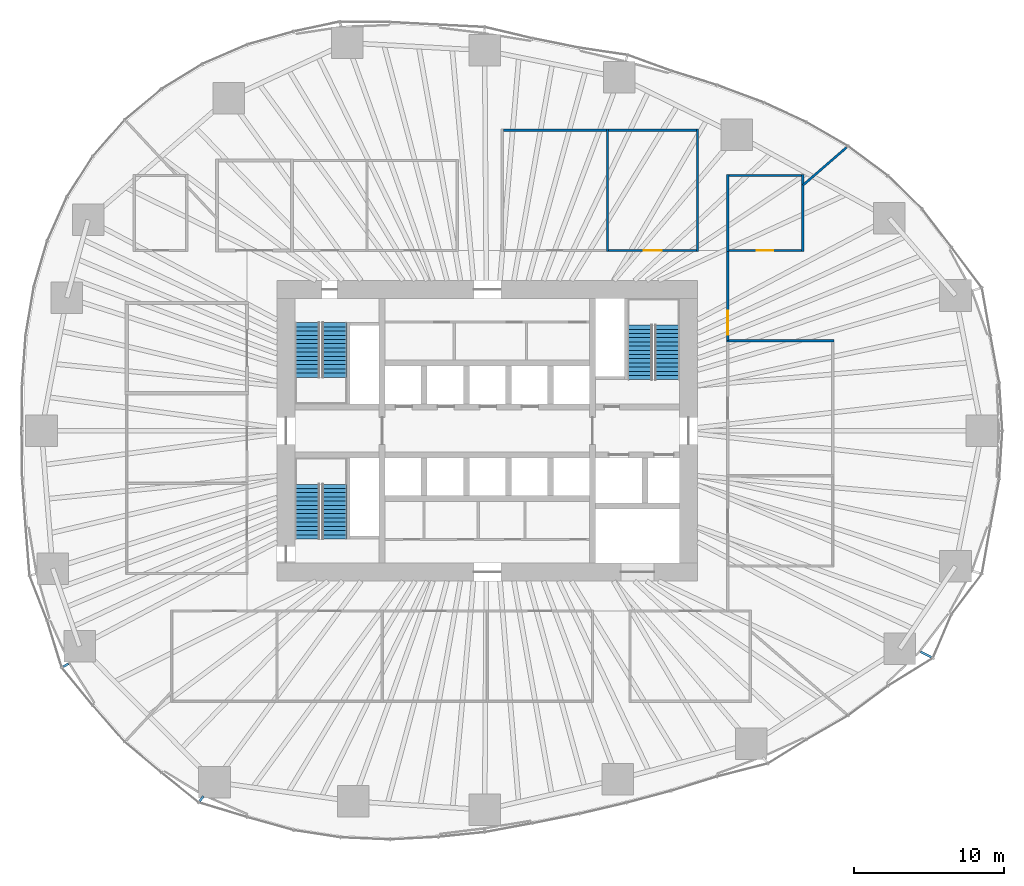
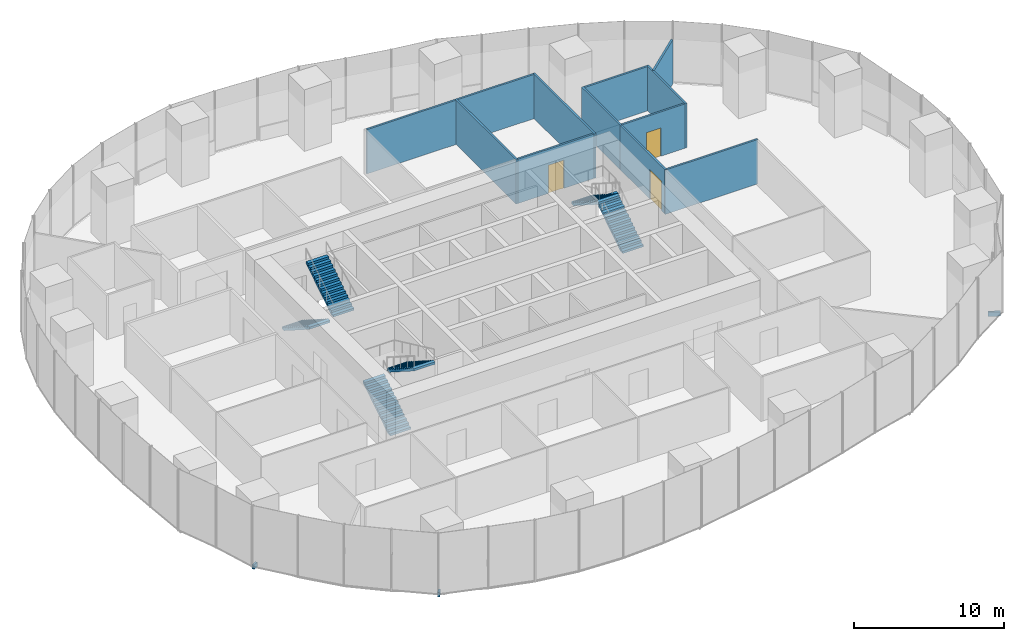
# One storey, part 12 of 20: 12 walls, 6 stair flights, 3 discrete accessories, 3 doors, 3 openings, 3 elements without a shape of their own.
"""IFC4 building model written with IfcOpenShell, lengths in metres."""

from ifc_helpers import new_model, si_unit, direction, frame, frame_2d, origin, origin_2d, place, context, subcontext, project, spatial, polyline, rectangle, outline, extrude, material, layer, layer_set, type_object, element, fill, aggregate, save


model = new_model("IFC4")

# Units and contexts
model_context = context("Model", 3, precision=1e-05, world=origin(), true_north=direction((0.0, 1.0)))
body_context = subcontext(model_context, "Body", "Model", "MODEL_VIEW")
ifc_project = project(units=[si_unit("LENGTHUNIT", "METRE"), si_unit("AREAUNIT", "SQUARE_METRE"), si_unit("VOLUMEUNIT", "CUBIC_METRE"), si_unit("PLANEANGLEUNIT", "RADIAN"), si_unit("MASSUNIT", "GRAM", prefix="KILO")], contexts=[model_context])

# Site, building, storey
site_placement = place(None, origin())
site = spatial("IfcSite", under=ifc_project, at=site_placement, CompositionType="ELEMENT")
building_placement = place(site_placement, origin())
building = spatial("IfcBuilding", under=site, at=building_placement, Name="Ghaith Harvest Tower", CompositionType="ELEMENT")
storey_placement = place(building_placement, frame((0.0, 0.0, 40.0)))
storey = spatial("IfcBuildingStorey", under=building, at=storey_placement, Name="L08", CompositionType="ELEMENT", Elevation=40.0)

# Walls
ifc_material_1 = material(Name="Gypsum board on steel studs", Category="steel")
ifc_layer = layer(ifc_material_1, 0.14990234375)
ifc_layer_set = layer_set([ifc_layer], Name="PARTITION 150")
wall_type = type_object("IfcWallType", Name="PARTITION 150", PredefinedType="PARTITIONING", material=ifc_layer_set)
for number, where, z_axis, x_axis, name in (
    (1, (8.0, 11.925048828125, 0.0), (0.0, 0.0, 1.0), (0.0, 1.0, 0.0), "Partition L08 row N5 cross wall 2"),
    (2, (14.0, 11.925048828125, 0.0), (0.0, 0.0, 1.0), (0.0, 1.0, 0.0), "Partition L08 row N5 cross wall 3"),
):
    element("IfcWall", number, at=place(storey_placement, frame(where, z_axis=z_axis, x_axis=x_axis)), inside=storey, type_object=wall_type, Name=name, PredefinedType="PARTITIONING", context=body_context, shape_type="SweptSolid", body=[
        extrude(rectangle(XDim=8.14990234375, YDim=0.14990234375, at=frame_2d((4.074951171875, 0.0))), origin(), (0.0, 0.0, 1.0), 3.60009765625),
    ])
wall_1_placement = place(storey_placement, frame((1.074951171875, 20.0, 0.0), z_axis=(0.0, 0.0, 1.0), x_axis=(1.0, 0.0, 0.0)))
element("IfcWall", 3, at=wall_1_placement, inside=storey, type_object=wall_type, Name="Partition L08-12", PredefinedType="PARTITIONING", context=body_context, shape_type="SweptSolid", body=[
    extrude(rectangle(XDim=6.85009765625, YDim=0.14990234375, at=frame_2d((3.425048828125, 0.0))), origin(), (0.0, 0.0, 1.0), 3.60009765625),
])

# Wall, opening, door
wall_2_placement = place(storey_placement, frame((8.074951171875, 12.0, 0.0), z_axis=(0.0, 0.0, 1.0), x_axis=(1.0, 0.0, 0.0)))
wall_2 = element("IfcWall", 4, at=wall_2_placement, inside=storey, type_object=wall_type, Name="Partition L08-13", PredefinedType="PARTITIONING", context=body_context, shape_type="SweptSolid", body=[
    extrude(rectangle(XDim=5.85009765625, YDim=0.14990234375, at=frame_2d((2.925048828125, 0.0))), origin(), (0.0, 0.0, 1.0), 3.60009765625),
])
opening_1_placement = place(wall_2_placement, frame((2.324951171875, 0.0, 0.0)))
opening_1 = element("IfcOpeningElement", 5, at=opening_1_placement, cuts=wall_2, Name="Opening 08-036", PredefinedType="OPENING", context=body_context, shape_type="SweptSolid", body=[
    extrude(rectangle(XDim=1.199951171875, YDim=2.300048828125, at=frame_2d((0.60009765625, 1.14990234375))), frame((0.0, 0.0849609375, 0.0), z_axis=(0.0, -1.0, 0.0), x_axis=(1.0, 0.0, 0.0)), (0.0, 0.0, 1.0), 0.169921875),
])
ifc_material_2 = material(Name="Timber door with vision panel", Category="wood")
door_type_1 = type_object("IfcDoorType", Name="D15 LABORATORY 1200x2300", OperationType="SINGLE_SWING_LEFT", PredefinedType="DOOR", material=ifc_material_2)
door_1_placement = place(opening_1_placement, origin())
door_1 = element("IfcDoor", 6, at=door_1_placement, inside=storey, type_object=door_type_1, Name="Quality laboratory door", OperationType="SINGLE_SWING_LEFT", OverallHeight=2.300048828125, OverallWidth=1.199951171875, PredefinedType="DOOR", context=body_context, shape_type="SweptSolid", body=[
    extrude(rectangle(XDim=1.199951171875, YDim=2.300048828125, at=frame_2d((0.60009765625, 1.14990234375))), frame((0.0, 0.02490234375, 0.0), z_axis=(0.0, -1.0, 0.0), x_axis=(1.0, 0.0, 0.0)), (0.0, 0.0, 1.0), 0.050048828125),
])
fill(opening_1, door_1)

# Walls
wall_3_placement = place(storey_placement, frame((8.074951171875, 20.0, 0.0), z_axis=(0.0, 0.0, 1.0), x_axis=(1.0, 0.0, 0.0)))
element("IfcWall", 7, at=wall_3_placement, inside=storey, type_object=wall_type, Name="Partition L08-13", PredefinedType="PARTITIONING", context=body_context, shape_type="SweptSolid", body=[
    extrude(rectangle(XDim=5.85009765625, YDim=0.14990234375, at=frame_2d((2.925048828125, 0.0))), origin(), (0.0, 0.0, 1.0), 3.60009765625),
])
wall_4_placement = place(storey_placement, frame((15.925048828125, 6.0, 0.0), z_axis=(0.0, 0.0, 1.0), x_axis=(1.0, 0.0, 0.0)))
element("IfcWall", 8, at=wall_4_placement, inside=storey, type_object=wall_type, Name="Partition L08 row E6 cross wall 3", PredefinedType="PARTITIONING", context=body_context, shape_type="SweptSolid", body=[
    extrude(rectangle(XDim=7.14990234375, YDim=0.14990234375, at=frame_2d((3.574951171875, 0.0))), origin(), (0.0, 0.0, 1.0), 3.60009765625),
])
for number, where, z_axis, x_axis, name in (
    (9, (16.0, 11.925048828125, 0.0), (0.0, 0.0, 1.0), (0.0, 1.0, 0.0), "Partition L08 row N7 cross wall 1"),
    (10, (21.0, 11.925048828125, 0.0), (0.0, 0.0, 1.0), (0.0, 1.0, 0.0), "Partition L08 row N7 cross wall 2"),
):
    element("IfcWall", number, at=place(storey_placement, frame(where, z_axis=z_axis, x_axis=x_axis)), inside=storey, type_object=wall_type, Name=name, PredefinedType="PARTITIONING", context=body_context, shape_type="SweptSolid", body=[
        extrude(rectangle(XDim=5.14990234375, YDim=0.14990234375, at=frame_2d((2.574951171875, 0.0))), origin(), (0.0, 0.0, 1.0), 3.60009765625),
    ])

# Wall, opening, door
wall_5_placement = place(storey_placement, frame((16.074951171875, 12.0, 0.0), z_axis=(0.0, 0.0, 1.0), x_axis=(1.0, 0.0, 0.0)))
wall_5 = element("IfcWall", 11, at=wall_5_placement, inside=storey, type_object=wall_type, Name="Partition L08-16", PredefinedType="PARTITIONING", context=body_context, shape_type="SweptSolid", body=[
    extrude(rectangle(XDim=4.85009765625, YDim=0.14990234375, at=frame_2d((2.425048828125, 0.0))), origin(), (0.0, 0.0, 1.0), 3.60009765625),
])
opening_2_placement = place(wall_5_placement, frame((1.875, 0.0, 0.0)))
opening_2 = element("IfcOpeningElement", 12, at=opening_2_placement, cuts=wall_5, Name="Opening 08-039", PredefinedType="OPENING", context=body_context, shape_type="SweptSolid", body=[
    extrude(rectangle(XDim=1.10009765625, YDim=2.300048828125, at=frame_2d((0.550048828125, 1.14990234375))), frame((0.0, 0.0849609375, 0.0), z_axis=(0.0, -1.0, 0.0), x_axis=(1.0, 0.0, 0.0)), (0.0, 0.0, 1.0), 0.169921875),
])
ifc_material_3 = material(Name="Timber-framed glazed door", Category="wood")
door_type_2 = type_object("IfcDoorType", Name="D12 GLAZED OFFICE 1100x2300", OperationType="SINGLE_SWING_LEFT", PredefinedType="DOOR", material=ifc_material_3)
door_2_placement = place(opening_2_placement, origin())
door_2 = element("IfcDoor", 13, at=door_2_placement, inside=storey, type_object=door_type_2, Name="Crop office door", OperationType="SINGLE_SWING_LEFT", OverallHeight=2.300048828125, OverallWidth=1.10009765625, PredefinedType="DOOR", context=body_context, shape_type="SweptSolid", body=[
    extrude(rectangle(XDim=1.10009765625, YDim=2.300048828125, at=frame_2d((0.550048828125, 1.14990234375))), frame((0.0, 0.02490234375, 0.0), z_axis=(0.0, -1.0, 0.0), x_axis=(1.0, 0.0, 0.0)), (0.0, 0.0, 1.0), 0.050048828125),
])
fill(opening_2, door_2)

# Walls
wall_6_placement = place(storey_placement, frame((16.074951171875, 17.0, 0.0), z_axis=(0.0, 0.0, 1.0), x_axis=(1.0, 0.0, 0.0)))
element("IfcWall", 14, at=wall_6_placement, inside=storey, type_object=wall_type, Name="Partition L08-16", PredefinedType="PARTITIONING", context=body_context, shape_type="SweptSolid", body=[
    extrude(rectangle(XDim=4.85009765625, YDim=0.14990234375, at=frame_2d((2.425048828125, 0.0))), origin(), (0.0, 0.0, 1.0), 3.60009765625),
])
wall_7_placement = place(storey_placement, frame((21.02001953125, 16.35400390625, 0.0), z_axis=(0.0, 0.0, 1.0), x_axis=(0.755425653008, 0.655234372402, 0.0)))
element("IfcWall", 15, at=wall_7_placement, inside=storey, type_object=wall_type, Name="Partition L08 zone division", PredefinedType="PARTITIONING", context=body_context, shape_type="SweptSolid", body=[
    extrude(rectangle(XDim=3.8232421875, YDim=0.14990234375, at=frame_2d((1.91162109375, 0.0))), origin(), (0.0, 0.0, 1.0), 3.60009765625),
])

# Wall, opening, door
wall_8_placement = place(storey_placement, frame((16.0, 6.0, 0.0), z_axis=(0.0, 0.0, 1.0), x_axis=(0.0, 1.0, 0.0)))
wall_8 = element("IfcWall", 16, at=wall_8_placement, inside=storey, type_object=wall_type, Name="Partition L08 zone enclosure", PredefinedType="PARTITIONING", context=body_context, shape_type="SweptSolid", body=[
    extrude(rectangle(XDim=6.0, YDim=0.14990234375, at=frame_2d((3.0, 0.0))), origin(), (0.0, 0.0, 1.0), 3.60009765625),
])
opening_3_placement = place(wall_8_placement, frame((0.39990234375, 0.0, 0.0)))
opening_3 = element("IfcOpeningElement", 17, at=opening_3_placement, cuts=wall_8, Name="Opening 08-041", PredefinedType="OPENING", context=body_context, shape_type="SweptSolid", body=[
    extrude(rectangle(XDim=1.60009765625, YDim=2.39990234375, at=frame_2d((0.800048828125, 1.199951171875))), frame((0.0, 0.0849609375, 0.0), z_axis=(0.0, -1.0, 0.0), x_axis=(1.0, 0.0, 0.0)), (0.0, 0.0, 1.0), 0.169921875),
])
ifc_material_4 = material(Name="Timber door", Category="wood")
door_type_3 = type_object("IfcDoorType", Name="D2 PAIR 1600x2400", OperationType="DOUBLE_DOOR_SINGLE_SWING", PredefinedType="DOOR", material=ifc_material_4)
door_3_placement = place(opening_3_placement, origin())
door_3 = element("IfcDoor", 18, at=door_3_placement, inside=storey, type_object=door_type_3, Name="Leafy greens growing area east door", OperationType="DOUBLE_DOOR_SINGLE_SWING", OverallHeight=2.39990234375, OverallWidth=1.60009765625, PredefinedType="DOOR", context=body_context, shape_type="SweptSolid", body=[
    extrude(rectangle(XDim=1.60009765625, YDim=2.39990234375, at=frame_2d((0.800048828125, 1.199951171875))), frame((0.0, 0.02490234375, 0.0), z_axis=(0.0, -1.0, 0.0), x_axis=(1.0, 0.0, 0.0)), (0.0, 0.0, 1.0), 0.050048828125),
])
fill(opening_3, door_3)

# Stair, stair flights
ifc_material_5 = material(Name="Concrete C40/50, precast", Category="concrete")
stair_type = type_object("IfcStairType", Name="CORE STAIR 28R", PredefinedType="HALF_TURN_STAIR", material=ifc_material_5)
stair_1_placement = place(storey_placement, origin())
stair_1 = element("IfcStair", 19, at=stair_1_placement, inside=storey, type_object=stair_type, Name="Stair ST1 L08", PredefinedType="HALF_TURN_STAIR")
ifc_material_6 = material(Name="Concrete C40/50, precast", Category="concrete")
stair_flight_type = type_object("IfcStairFlightType", Name="CORE FLIGHT 14R 1600", PredefinedType="STRAIGHT", material=ifc_material_6)
stair_flight_1_placement = place(storey_placement, frame((-12.0, 7.199951171875, 0.0), z_axis=(0.0, 0.0, 1.0), x_axis=(0.0, -1.0, 0.0)))
stair_flight_1 = element("IfcStairFlight", 20, at=stair_flight_1_placement, type_object=stair_flight_type, Name="ST1 flight 1", NumberOfRisers=14, NumberOfTreads=13, PredefinedType="STRAIGHT", RiserHeight=0.178571429, TreadLength=0.28, context=body_context, shape_type="SweptSolid", body=[
    extrude(outline(polyline([(0.0, 0.0), (0.0, 0.178466796875), (0.280029296875, 0.178466796875), (0.280029296875, 0.357177734375), (0.56005859375, 0.357177734375), (0.56005859375, 0.53564453125), (0.840087890625, 0.53564453125), (0.840087890625, 0.71435546875), (1.1201171875, 0.71435546875), (1.1201171875, 0.892822265625), (1.39990234375, 0.892822265625), (1.39990234375, 1.071533203125), (1.679931640625, 1.071533203125), (1.679931640625, 1.25), (1.9599609375, 1.25), (1.9599609375, 1.428466796875), (2.239990234375, 1.428466796875), (2.239990234375, 1.607177734375), (2.52001953125, 1.607177734375), (2.52001953125, 1.78564453125), (2.800048828125, 1.78564453125), (2.800048828125, 1.96435546875), (3.080078125, 1.96435546875), (3.080078125, 2.142822265625), (3.360107421875, 2.142822265625), (3.360107421875, 2.321533203125), (3.639892578125, 2.321533203125), (3.639892578125, 2.5), (3.639892578125, 2.1435546875), (0.27880859375, 0.0), (0.0, 0.0)])), frame((0.0, 0.800048828125, 0.0), z_axis=(0.0, -1.0, 0.0), x_axis=(1.0, 0.0, 0.0)), (0.0, 0.0, 1.0), 1.60009765625),
])
stair_flight_2_placement = place(storey_placement, frame((-10.14990234375, 3.56005859375, 2.5), z_axis=(0.0, 0.0, 1.0), x_axis=(0.0, 1.0, 0.0)))
stair_flight_2 = element("IfcStairFlight", 21, at=stair_flight_2_placement, type_object=stair_flight_type, Name="ST1 flight 2", NumberOfRisers=14, NumberOfTreads=13, PredefinedType="STRAIGHT", RiserHeight=0.178571429, TreadLength=0.28, context=body_context, shape_type="SweptSolid", body=[
    extrude(outline(polyline([(0.0, 0.0), (0.0, 0.178466796875), (0.280029296875, 0.178466796875), (0.280029296875, 0.357177734375), (0.56005859375, 0.357177734375), (0.56005859375, 0.53564453125), (0.840087890625, 0.53564453125), (0.840087890625, 0.71435546875), (1.1201171875, 0.71435546875), (1.1201171875, 0.892822265625), (1.39990234375, 0.892822265625), (1.39990234375, 1.071533203125), (1.679931640625, 1.071533203125), (1.679931640625, 1.25), (1.9599609375, 1.25), (1.9599609375, 1.428466796875), (2.239990234375, 1.428466796875), (2.239990234375, 1.607177734375), (2.52001953125, 1.607177734375), (2.52001953125, 1.78564453125), (2.800048828125, 1.78564453125), (2.800048828125, 1.96435546875), (3.080078125, 1.96435546875), (3.080078125, 2.142822265625), (3.360107421875, 2.142822265625), (3.360107421875, 2.321533203125), (3.639892578125, 2.321533203125), (3.639892578125, 2.5), (3.639892578125, 2.1435546875), (0.27880859375, 0.0), (0.0, 0.0)])), frame((0.0, 0.800048828125, 0.0), z_axis=(0.0, -1.0, 0.0), x_axis=(1.0, 0.0, 0.0)), (0.0, 0.0, 1.0), 1.60009765625),
])
aggregate(stair_1, [stair_flight_1, stair_flight_2])

stair_2_placement = place(storey_placement, origin())
stair_2 = element("IfcStair", 22, at=stair_2_placement, inside=storey, type_object=stair_type, Name="Stair ST3 L08", PredefinedType="HALF_TURN_STAIR")
stair_flight_3_placement = place(storey_placement, frame((-12.0, -7.199951171875, 0.0), z_axis=(0.0, 0.0, 1.0), x_axis=(0.0, 1.0, 0.0)))
stair_flight_3 = element("IfcStairFlight", 23, at=stair_flight_3_placement, type_object=stair_flight_type, Name="ST3 flight 1", NumberOfRisers=14, NumberOfTreads=13, PredefinedType="STRAIGHT", RiserHeight=0.178571429, TreadLength=0.28, context=body_context, shape_type="SweptSolid", body=[
    extrude(outline(polyline([(0.0, 0.0), (0.0, 0.178466796875), (0.280029296875, 0.178466796875), (0.280029296875, 0.357177734375), (0.56005859375, 0.357177734375), (0.56005859375, 0.53564453125), (0.840087890625, 0.53564453125), (0.840087890625, 0.71435546875), (1.1201171875, 0.71435546875), (1.1201171875, 0.892822265625), (1.39990234375, 0.892822265625), (1.39990234375, 1.071533203125), (1.679931640625, 1.071533203125), (1.679931640625, 1.25), (1.9599609375, 1.25), (1.9599609375, 1.428466796875), (2.239990234375, 1.428466796875), (2.239990234375, 1.607177734375), (2.52001953125, 1.607177734375), (2.52001953125, 1.78564453125), (2.800048828125, 1.78564453125), (2.800048828125, 1.96435546875), (3.080078125, 1.96435546875), (3.080078125, 2.142822265625), (3.360107421875, 2.142822265625), (3.360107421875, 2.321533203125), (3.639892578125, 2.321533203125), (3.639892578125, 2.5), (3.639892578125, 2.1435546875), (0.27880859375, 0.0), (0.0, 0.0)])), frame((0.0, 0.800048828125, 0.0), z_axis=(0.0, -1.0, 0.0), x_axis=(1.0, 0.0, 0.0)), (0.0, 0.0, 1.0), 1.60009765625),
])
stair_flight_4_placement = place(storey_placement, frame((-10.14990234375, -3.56005859375, 2.5), z_axis=(0.0, 0.0, 1.0), x_axis=(0.0, -1.0, 0.0)))
stair_flight_4 = element("IfcStairFlight", 24, at=stair_flight_4_placement, type_object=stair_flight_type, Name="ST3 flight 2", NumberOfRisers=14, NumberOfTreads=13, PredefinedType="STRAIGHT", RiserHeight=0.178571429, TreadLength=0.28, context=body_context, shape_type="SweptSolid", body=[
    extrude(outline(polyline([(0.0, 0.0), (0.0, 0.178466796875), (0.280029296875, 0.178466796875), (0.280029296875, 0.357177734375), (0.56005859375, 0.357177734375), (0.56005859375, 0.53564453125), (0.840087890625, 0.53564453125), (0.840087890625, 0.71435546875), (1.1201171875, 0.71435546875), (1.1201171875, 0.892822265625), (1.39990234375, 0.892822265625), (1.39990234375, 1.071533203125), (1.679931640625, 1.071533203125), (1.679931640625, 1.25), (1.9599609375, 1.25), (1.9599609375, 1.428466796875), (2.239990234375, 1.428466796875), (2.239990234375, 1.607177734375), (2.52001953125, 1.607177734375), (2.52001953125, 1.78564453125), (2.800048828125, 1.78564453125), (2.800048828125, 1.96435546875), (3.080078125, 1.96435546875), (3.080078125, 2.142822265625), (3.360107421875, 2.142822265625), (3.360107421875, 2.321533203125), (3.639892578125, 2.321533203125), (3.639892578125, 2.5), (3.639892578125, 2.1435546875), (0.27880859375, 0.0), (0.0, 0.0)])), frame((0.0, 0.800048828125, 0.0), z_axis=(0.0, -1.0, 0.0), x_axis=(1.0, 0.0, 0.0)), (0.0, 0.0, 1.0), 1.60009765625),
])
aggregate(stair_2, [stair_flight_3, stair_flight_4])

stair_3_placement = place(storey_placement, origin())
stair_3 = element("IfcStair", 25, at=stair_3_placement, inside=storey, type_object=stair_type, Name="Stair ST2 L08", PredefinedType="HALF_TURN_STAIR")
stair_flight_5_placement = place(storey_placement, frame((12.0, 3.39990234375, 0.0), z_axis=(0.0, 0.0, 1.0), x_axis=(0.0, 1.0, 0.0)))
stair_flight_5 = element("IfcStairFlight", 26, at=stair_flight_5_placement, type_object=stair_flight_type, Name="ST2 flight 1", NumberOfRisers=14, NumberOfTreads=13, PredefinedType="STRAIGHT", RiserHeight=0.178571429, TreadLength=0.28, context=body_context, shape_type="SweptSolid", body=[
    extrude(outline(polyline([(0.0, 0.0), (0.0, 0.178466796875), (0.280029296875, 0.178466796875), (0.280029296875, 0.357177734375), (0.56005859375, 0.357177734375), (0.56005859375, 0.53564453125), (0.840087890625, 0.53564453125), (0.840087890625, 0.71435546875), (1.1201171875, 0.71435546875), (1.1201171875, 0.892822265625), (1.39990234375, 0.892822265625), (1.39990234375, 1.071533203125), (1.679931640625, 1.071533203125), (1.679931640625, 1.25), (1.9599609375, 1.25), (1.9599609375, 1.428466796875), (2.239990234375, 1.428466796875), (2.239990234375, 1.607177734375), (2.52001953125, 1.607177734375), (2.52001953125, 1.78564453125), (2.800048828125, 1.78564453125), (2.800048828125, 1.96435546875), (3.080078125, 1.96435546875), (3.080078125, 2.142822265625), (3.360107421875, 2.142822265625), (3.360107421875, 2.321533203125), (3.639892578125, 2.321533203125), (3.639892578125, 2.5), (3.639892578125, 2.1435546875), (0.27880859375, 0.0), (0.0, 0.0)])), frame((0.0, 0.800048828125, 0.0), z_axis=(0.0, -1.0, 0.0), x_axis=(1.0, 0.0, 0.0)), (0.0, 0.0, 1.0), 1.60009765625),
])
stair_flight_6_placement = place(storey_placement, frame((10.14990234375, 7.0400390625, 2.5), z_axis=(0.0, 0.0, 1.0), x_axis=(0.0, -1.0, 0.0)))
stair_flight_6 = element("IfcStairFlight", 27, at=stair_flight_6_placement, type_object=stair_flight_type, Name="ST2 flight 2", NumberOfRisers=14, NumberOfTreads=13, PredefinedType="STRAIGHT", RiserHeight=0.178571429, TreadLength=0.28, context=body_context, shape_type="SweptSolid", body=[
    extrude(outline(polyline([(0.0, 0.0), (0.0, 0.178466796875), (0.280029296875, 0.178466796875), (0.280029296875, 0.357177734375), (0.56005859375, 0.357177734375), (0.56005859375, 0.53564453125), (0.840087890625, 0.53564453125), (0.840087890625, 0.71435546875), (1.1201171875, 0.71435546875), (1.1201171875, 0.892822265625), (1.39990234375, 0.892822265625), (1.39990234375, 1.071533203125), (1.679931640625, 1.071533203125), (1.679931640625, 1.25), (1.9599609375, 1.25), (1.9599609375, 1.428466796875), (2.239990234375, 1.428466796875), (2.239990234375, 1.607177734375), (2.52001953125, 1.607177734375), (2.52001953125, 1.78564453125), (2.800048828125, 1.78564453125), (2.800048828125, 1.96435546875), (3.080078125, 1.96435546875), (3.080078125, 2.142822265625), (3.360107421875, 2.142822265625), (3.360107421875, 2.321533203125), (3.639892578125, 2.321533203125), (3.639892578125, 2.5), (3.639892578125, 2.1435546875), (0.27880859375, 0.0), (0.0, 0.0)])), frame((0.0, 0.800048828125, 0.0), z_axis=(0.0, -1.0, 0.0), x_axis=(1.0, 0.0, 0.0)), (0.0, 0.0, 1.0), 1.60009765625),
])
aggregate(stair_3, [stair_flight_5, stair_flight_6])

# Discrete accessories
ifc_material_7 = material(Name="Stainless steel grade 1.4401", Category="steel")
discrete_accessory_type_1 = type_object("IfcDiscreteAccessoryType", Name="CURTAIN WALL BRACKET 415", PredefinedType="BRACKET", material=ifc_material_7)
discrete_accessory_1_placement = place(storey_placement, frame((-28.05859375, -15.60546875, -0.25), z_axis=(0.0, 0.0, 1.0), x_axis=(-0.873926916099, -0.486057347767, 0.0)))
element("IfcDiscreteAccessory", 28, at=discrete_accessory_1_placement, inside=storey, type_object=discrete_accessory_type_1, Name="CW-F bracket 3 bay 12 L08", PredefinedType="BRACKET", context=body_context, shape_type="SweptSolid", body=[
    extrude(rectangle(XDim=0.4150390625, YDim=0.14990234375, at=origin_2d()), origin(), (0.0, 0.0, 1.0), 0.35009765625),
])
ifc_material_8 = material(Name="Stainless steel grade 1.4401", Category="steel")
discrete_accessory_type_2 = type_object("IfcDiscreteAccessoryType", Name="CURTAIN WALL BRACKET 425", PredefinedType="BRACKET", material=ifc_material_8)
discrete_accessory_2_placement = place(storey_placement, frame((-19.02099609375, -24.491455078125, -0.25), z_axis=(0.0, 0.0, 1.0), x_axis=(-0.613377713774, -0.789789706343, 0.0)))
element("IfcDiscreteAccessory", 29, at=discrete_accessory_2_placement, inside=storey, type_object=discrete_accessory_type_2, Name="CW-F bracket 1 bay 14 L08", PredefinedType="BRACKET", context=body_context, shape_type="SweptSolid", body=[
    extrude(rectangle(XDim=0.425048828125, YDim=0.14990234375, at=origin_2d()), origin(), (0.0, 0.0, 1.0), 0.35009765625),
])
ifc_material_9 = material(Name="Stainless steel grade 1.4401", Category="steel")
discrete_accessory_type_3 = type_object("IfcDiscreteAccessoryType", Name="CURTAIN WALL BRACKET 825", PredefinedType="BRACKET", material=ifc_material_9)
discrete_accessory_3_placement = place(storey_placement, frame((29.203125, -14.89404296875, -0.25), z_axis=(0.0, 0.0, 1.0), x_axis=(0.890830752177, -0.454335306767, 0.0)))
element("IfcDiscreteAccessory", 30, at=discrete_accessory_3_placement, inside=storey, type_object=discrete_accessory_type_3, Name="CW-F bracket 2 bay 19 L08", PredefinedType="BRACKET", context=body_context, shape_type="SweptSolid", body=[
    extrude(rectangle(XDim=0.824951171875, YDim=0.14990234375, at=origin_2d()), origin(), (0.0, 0.0, 1.0), 0.35009765625),
])

save(model, "model.ifc")
